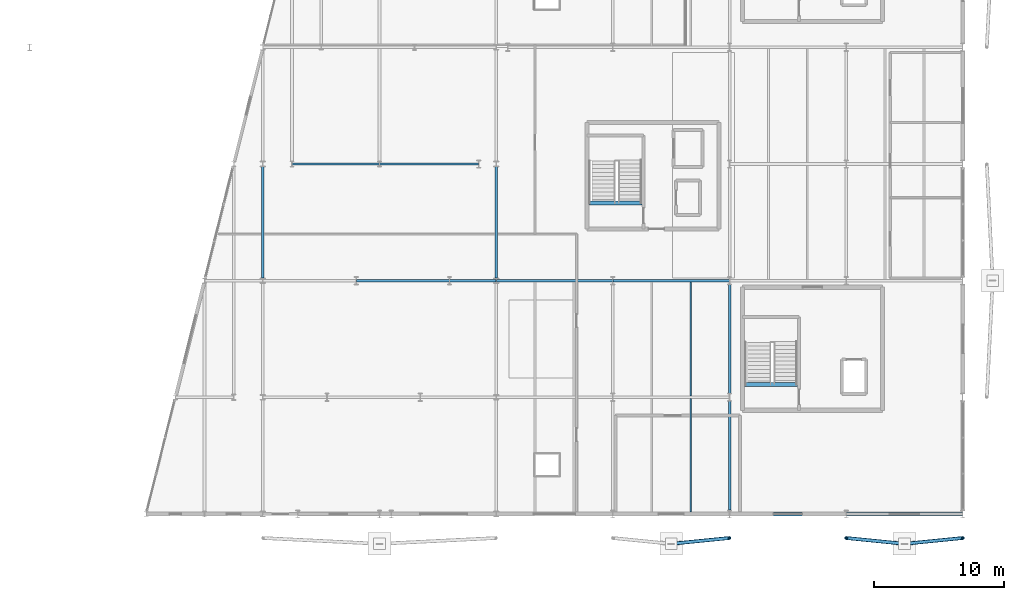
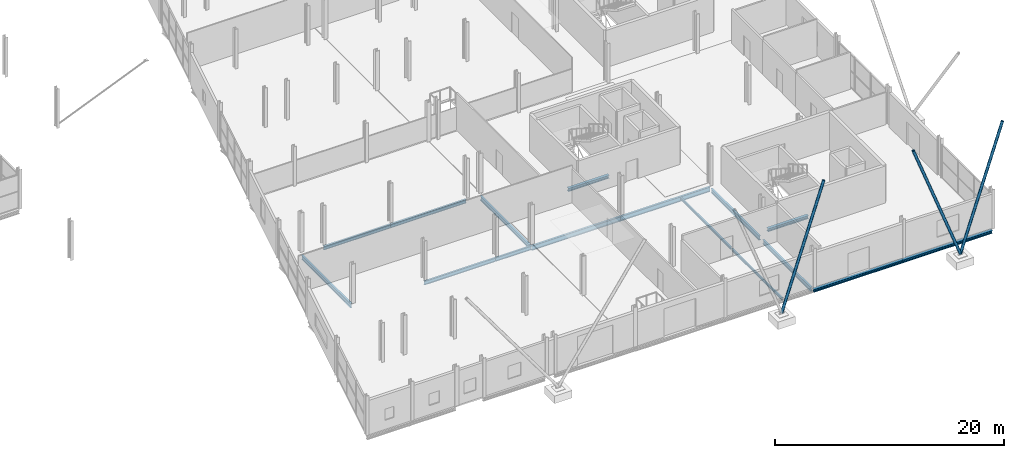
# One storey, part 86 of 140: 16 beams, 3 members.
"""IFC4 building model written with IfcOpenShell, lengths in metres."""

from ifc_helpers import new_model, si_unit, direction, frame, origin, origin_2d, place, context, subcontext, project, spatial, hollow_circle, i_section, extrude, material, material_profile, profile_set, type_object, element, save


model = new_model("IFC4")

# Units and contexts
model_context = context("Model", 3, precision=1e-05, world=origin(), true_north=direction((0.0, 1.0)))
body_context = subcontext(model_context, "Body", "Model", "MODEL_VIEW")
ifc_project = project(units=[si_unit("LENGTHUNIT", "METRE"), si_unit("AREAUNIT", "SQUARE_METRE"), si_unit("VOLUMEUNIT", "CUBIC_METRE"), si_unit("PLANEANGLEUNIT", "RADIAN"), si_unit("MASSUNIT", "GRAM", prefix="KILO")], contexts=[model_context])

# Site, building, storey
site_placement = place(None, origin())
site = spatial("IfcSite", under=ifc_project, at=site_placement, CompositionType="ELEMENT")
building_placement = place(site_placement, origin())
building = spatial("IfcBuilding", under=site, at=building_placement, Name="Deido Ridge Mobility Hub", CompositionType="ELEMENT")
storey_placement = place(building_placement, origin())
storey = spatial("IfcBuildingStorey", under=building, at=storey_placement, Name="L00", CompositionType="ELEMENT", Elevation=0.0)

# Beams
ifc_material_1 = material(Name="Steel S355J2 EN 10025-2", Category="steel")
ifc_material_profile_1 = material_profile(ifc_material_1, i_section(OverallWidth=0.300048828125, OverallDepth=0.330078125, WebThickness=0.009521484375, FlangeThickness=0.0166015625, FilletRadius=0.027099609375, at=origin_2d()), Name="HEA 340")
ifc_profile_set_1 = profile_set([ifc_material_profile_1], Name="Steel S355J2 EN 10025-2")
beam_type_1 = type_object("IfcBeamType", Name="BM-HEA340", PredefinedType="BEAM", material=ifc_profile_set_1)
beam_1_placement = place(storey_placement, frame((163.16259765625, 10.0, -0.425048828125), z_axis=(1.0, 0.0, 0.0), x_axis=(0.0, 1.0, 0.0)))
element("IfcBeam", 1, at=beam_1_placement, inside=storey, type_object=beam_type_1, Name="C1 stair landing trimmer beam B6", PredefinedType="BEAM", context=body_context, shape_type="SweptSolid", body=[
    extrude(i_section(OverallWidth=0.300048828125, OverallDepth=0.330078125, WebThickness=0.009521484375, FlangeThickness=0.0166015625, FilletRadius=0.027099609375, at=origin_2d()), origin(), (0.0, 0.0, 1.0), 4.072509765625),
])
beam_2_placement = place(storey_placement, frame((151.14990234375, 24.0, -0.425048828125), z_axis=(1.0, 0.0, 0.0), x_axis=(0.0, 1.0, 0.0)))
element("IfcBeam", 2, at=beam_2_placement, inside=storey, type_object=beam_type_1, Name="C3 stair landing trimmer beam B6", PredefinedType="BEAM", context=body_context, shape_type="SweptSolid", body=[
    extrude(i_section(OverallWidth=0.300048828125, OverallDepth=0.330078125, WebThickness=0.009521484375, FlangeThickness=0.0166015625, FilletRadius=0.027099609375, at=origin_2d()), origin(), (0.0, 0.0, 1.0), 4.085205078125),
])
ifc_material_profile_2 = material_profile(ifc_material_1, i_section(OverallWidth=0.179931640625, OverallDepth=0.39990234375, WebThickness=0.008544921875, FlangeThickness=0.013427734375, FilletRadius=0.02099609375, at=origin_2d()), Name="IPE 400")
ifc_profile_set_2 = profile_set([ifc_material_profile_2], Name="Steel S355J2 EN 10025-2")
beam_type_2 = type_object("IfcBeamType", Name="BM-IPE400", PredefinedType="BEAM", material=ifc_profile_set_2)
beam_3_placement = place(storey_placement, frame((133.207763671875, 18.0, -0.4599609375), z_axis=(1.0, 0.0, 0.0), x_axis=(0.0, 1.0, 0.0)))
element("IfcBeam", 3, at=beam_3_placement, inside=storey, type_object=beam_type_2, Name="Floor beam B5", PredefinedType="BEAM", context=body_context, shape_type="SweptSolid", body=[
    extrude(i_section(OverallWidth=0.179931640625, OverallDepth=0.39990234375, WebThickness=0.008544921875, FlangeThickness=0.013427734375, FilletRadius=0.02099609375, at=origin_2d()), origin(), (0.0, 0.0, 1.0), 7.1845703125),
])
beam_4_placement = place(storey_placement, frame((140.40771484375, 18.0, -0.4599609375), z_axis=(1.0, 0.0, 0.0), x_axis=(0.0, 1.0, 0.0)))
element("IfcBeam", 4, at=beam_4_placement, inside=storey, type_object=beam_type_2, Name="Floor beam B5", PredefinedType="BEAM", context=body_context, shape_type="SweptSolid", body=[
    extrude(i_section(OverallWidth=0.179931640625, OverallDepth=0.39990234375, WebThickness=0.008544921875, FlangeThickness=0.013427734375, FilletRadius=0.02099609375, at=origin_2d()), origin(), (0.0, 0.0, 1.0), 3.58349609375),
])
beam_5_placement = place(storey_placement, frame((128.257080078125, 27.0, -0.4599609375), z_axis=(1.0, 0.0, 0.0), x_axis=(0.0, 1.0, 0.0)))
element("IfcBeam", 5, at=beam_5_placement, inside=storey, type_object=beam_type_2, Name="Floor beam B5", PredefinedType="BEAM", context=body_context, shape_type="SweptSolid", body=[
    extrude(i_section(OverallWidth=0.179931640625, OverallDepth=0.39990234375, WebThickness=0.008544921875, FlangeThickness=0.013427734375, FilletRadius=0.02099609375, at=origin_2d()), origin(), (0.0, 0.0, 1.0), 6.736083984375),
])
beam_6_placement = place(storey_placement, frame((135.0068359375, 27.0, -0.4599609375), z_axis=(1.0, 0.0, 0.0), x_axis=(0.0, 1.0, 0.0)))
element("IfcBeam", 6, at=beam_6_placement, inside=storey, type_object=beam_type_2, Name="Floor beam B5", PredefinedType="BEAM", context=body_context, shape_type="SweptSolid", body=[
    extrude(i_section(OverallWidth=0.179931640625, OverallDepth=0.39990234375, WebThickness=0.008544921875, FlangeThickness=0.013427734375, FilletRadius=0.02099609375, at=origin_2d()), origin(), (0.0, 0.0, 1.0), 7.635498046875),
])
ifc_material_profile_3 = material_profile(ifc_material_1, i_section(OverallWidth=0.18994140625, OverallDepth=0.449951171875, WebThickness=0.009521484375, FlangeThickness=0.0146484375, FilletRadius=0.02099609375, at=origin_2d()), Name="IPE 450")
ifc_profile_set_3 = profile_set([ifc_material_profile_3], Name="Steel S355J2 EN 10025-2")
beam_type_3 = type_object("IfcBeamType", Name="BM-IPE450", PredefinedType="BEAM", material=ifc_profile_set_3)
for number, where, z_axis, x_axis, name in (
    (7, (126.0, 18.196533203125, -0.485107421875), (0.0, 1.0, 0.0), (-1.0, 0.0, 0.0), "Floor beam B4"),
    (8, (144.0, 18.196533203125, -0.485107421875), (0.0, 1.0, 0.0), (-1.0, 0.0, 0.0), "Floor beam B4"),
):
    element("IfcBeam", number, at=place(storey_placement, frame(where, z_axis=z_axis, x_axis=x_axis)), inside=storey, type_object=beam_type_3, Name=name, PredefinedType="BEAM", context=body_context, shape_type="SweptSolid", body=[
        extrude(i_section(OverallWidth=0.18994140625, OverallDepth=0.449951171875, WebThickness=0.009521484375, FlangeThickness=0.0146484375, FilletRadius=0.02099609375, at=origin_2d()), origin(), (0.0, 0.0, 1.0), 8.60693359375),
    ])
for number, where, z_axis, x_axis, name in (
    (9, (162.0, 0.300048828125, -0.485107421875), (0.0, 1.0, 0.0), (-1.0, 0.0, 0.0), "Floor beam B4"),
    (10, (162.0, 9.300048828125, -0.485107421875), (0.0, 1.0, 0.0), (-1.0, 0.0, 0.0), "Floor beam B4"),
):
    element("IfcBeam", number, at=place(storey_placement, frame(where, z_axis=z_axis, x_axis=x_axis)), inside=storey, type_object=beam_type_3, Name=name, PredefinedType="BEAM", context=body_context, shape_type="SweptSolid", body=[
        extrude(i_section(OverallWidth=0.18994140625, OverallDepth=0.449951171875, WebThickness=0.009521484375, FlangeThickness=0.0146484375, FilletRadius=0.02099609375, at=origin_2d()), origin(), (0.0, 0.0, 1.0), 8.39990234375),
    ])
ifc_material_profile_4 = material_profile(ifc_material_1, i_section(OverallWidth=0.199951171875, OverallDepth=0.5, WebThickness=0.01025390625, FlangeThickness=0.01611328125, FilletRadius=0.02099609375, at=origin_2d()), Name="IPE 500")
ifc_profile_set_4 = profile_set([ifc_material_profile_4], Name="Steel S355J2 EN 10025-2")
beam_type_4 = type_object("IfcBeamType", Name="BM-IPE500", PredefinedType="BEAM", material=ifc_profile_set_4)
beam_7_placement = place(storey_placement, frame((144.0087890625, 18.0, -0.510009765625), z_axis=(1.0, 0.0, 0.0), x_axis=(0.0, 1.0, 0.0)))
element("IfcBeam", 11, at=beam_7_placement, inside=storey, type_object=beam_type_4, Name="Floor beam B3", PredefinedType="BEAM", context=body_context, shape_type="SweptSolid", body=[
    extrude(i_section(OverallWidth=0.199951171875, OverallDepth=0.5, WebThickness=0.01025390625, FlangeThickness=0.01611328125, FilletRadius=0.02099609375, at=origin_2d()), origin(), (0.0, 0.0, 1.0), 8.9833984375),
])
beam_8_placement = place(storey_placement, frame((153.0078125, 18.0, -0.510009765625), z_axis=(1.0, 0.0, 0.0), x_axis=(0.0, 1.0, 0.0)))
element("IfcBeam", 12, at=beam_8_placement, inside=storey, type_object=beam_type_4, Name="Floor beam B3", PredefinedType="BEAM", context=body_context, shape_type="SweptSolid", body=[
    extrude(i_section(OverallWidth=0.199951171875, OverallDepth=0.5, WebThickness=0.01025390625, FlangeThickness=0.01611328125, FilletRadius=0.02099609375, at=origin_2d()), origin(), (0.0, 0.0, 1.0), 8.984375),
])
ifc_material_profile_5 = material_profile(ifc_material_1, i_section(OverallWidth=0.135009765625, OverallDepth=0.27001953125, WebThickness=0.006591796875, FlangeThickness=0.01025390625, FilletRadius=0.014892578125, at=origin_2d()), Name="IPE 270")
ifc_profile_set_5 = profile_set([ifc_material_profile_5], Name="Steel S355J2 EN 10025-2")
beam_type_5 = type_object("IfcBeamType", Name="JST-IPE270", PredefinedType="JOIST", material=ifc_profile_set_5)
beam_9_placement = place(storey_placement, frame((159.0, 0.14990234375, -0.39501953125), z_axis=(0.0, 1.0, 0.0), x_axis=(-1.0, 0.0, 0.0)))
element("IfcBeam", 13, at=beam_9_placement, inside=storey, type_object=beam_type_5, Name="Composite joist J4", PredefinedType="JOIST", context=body_context, shape_type="SweptSolid", body=[
    extrude(i_section(OverallWidth=0.135009765625, OverallDepth=0.27001953125, WebThickness=0.006591796875, FlangeThickness=0.01025390625, FilletRadius=0.014892578125, at=origin_2d()), origin(), (0.0, 0.0, 1.0), 8.75),
])
beam_10_placement = place(storey_placement, frame((159.0, 9.10009765625, -0.39501953125), z_axis=(0.0, 1.0, 0.0), x_axis=(-1.0, 0.0, 0.0)))
element("IfcBeam", 14, at=beam_10_placement, inside=storey, type_object=beam_type_5, Name="Composite joist J4", PredefinedType="JOIST", context=body_context, shape_type="SweptSolid", body=[
    extrude(i_section(OverallWidth=0.135009765625, OverallDepth=0.27001953125, WebThickness=0.006591796875, FlangeThickness=0.01025390625, FilletRadius=0.014892578125, at=origin_2d()), origin(), (0.0, 0.0, 1.0), 8.7998046875),
])

# Members
ifc_material_2 = material(Name="Steel S355J2H EN 10210-1", Category="steel")
ifc_material_profile_6 = material_profile(ifc_material_2, hollow_circle(Radius=0.136474609375, WallThickness=0.012451171875, at=origin_2d()), Name="CHS 273x12.5")
ifc_profile_set_6 = profile_set([ifc_material_profile_6], Name="Steel S355J2H EN 10210-1")
member_type = type_object("IfcMemberType", Name="MEM-BRC-CHS273", PredefinedType="BRACE", material=ifc_profile_set_6)
for number, where, z_axis, x_axis, name in (
    (15, (157.5, -2.300048828125, 0.1650390625), (0.343750380348, 0.034371308104, 0.938431824476), (-0.099493029059, 0.995038259148, 0.0), "Deconstructivist exoskeleton raked V-strut BR1"),
    (16, (175.5, -2.300048828125, 0.1650390625), (-0.343750380348, 0.034371308104, 0.938431824476), (-0.099493029059, -0.995038259148, 0.0), "Deconstructivist exoskeleton raked V-strut BR1"),
    (17, (175.5, -2.300048828125, 0.1650390625), (0.343750380348, 0.034371308104, 0.938431824476), (-0.099493029059, 0.995038259148, 0.0), "Deconstructivist exoskeleton raked V-strut BR1"),
):
    element("IfcMember", number, at=place(storey_placement, frame(where, z_axis=z_axis, x_axis=x_axis)), inside=storey, type_object=member_type, Name=name, PredefinedType="BRACE", context=body_context, shape_type="SweptSolid", body=[
        extrude(hollow_circle(Radius=0.136474609375, WallThickness=0.012451171875, at=origin_2d()), origin(), (0.0, 0.0, 1.0), 13.0908203125),
    ])

# Beams
ifc_material_profile_7 = material_profile(ifc_material_1, i_section(OverallWidth=0.300048828125, OverallDepth=0.300048828125, WebThickness=0.010986328125, FlangeThickness=0.01904296875, FilletRadius=0.027099609375, at=origin_2d()), Name="HEB 300")
ifc_profile_set_7 = profile_set([ifc_material_profile_7], Name="Steel S355J2 EN 10025-2")
beam_type_6 = type_object("IfcBeamType", Name="SPD-HEB300", PredefinedType="SPANDREL", material=ifc_profile_set_7)
for number, where, z_axis, x_axis, name in (
    (18, (162.0078125, 0.0, -0.409912109375), (1.0, 0.0, 0.0), (0.0, 1.0, 0.0), "Floor beam SP1"),
    (19, (171.0078125, 0.0, -0.409912109375), (1.0, 0.0, 0.0), (0.0, 1.0, 0.0), "Floor beam SP1"),
):
    element("IfcBeam", number, at=place(storey_placement, frame(where, z_axis=z_axis, x_axis=x_axis)), inside=storey, type_object=beam_type_6, Name=name, PredefinedType="SPANDREL", context=body_context, shape_type="SweptSolid", body=[
        extrude(i_section(OverallWidth=0.300048828125, OverallDepth=0.300048828125, WebThickness=0.010986328125, FlangeThickness=0.01904296875, FilletRadius=0.027099609375, at=origin_2d()), origin(), (0.0, 0.0, 1.0), 8.984375),
    ])

save(model, "model.ifc")
